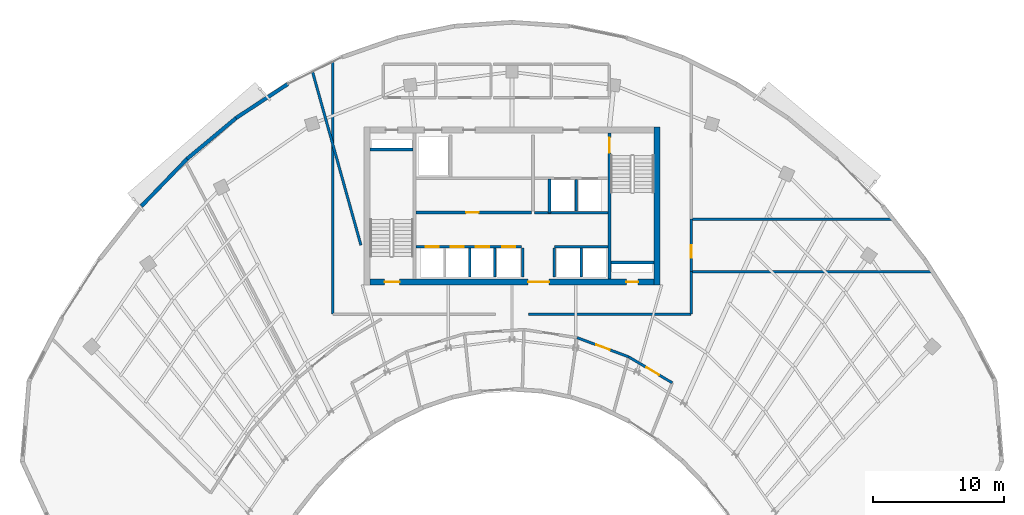
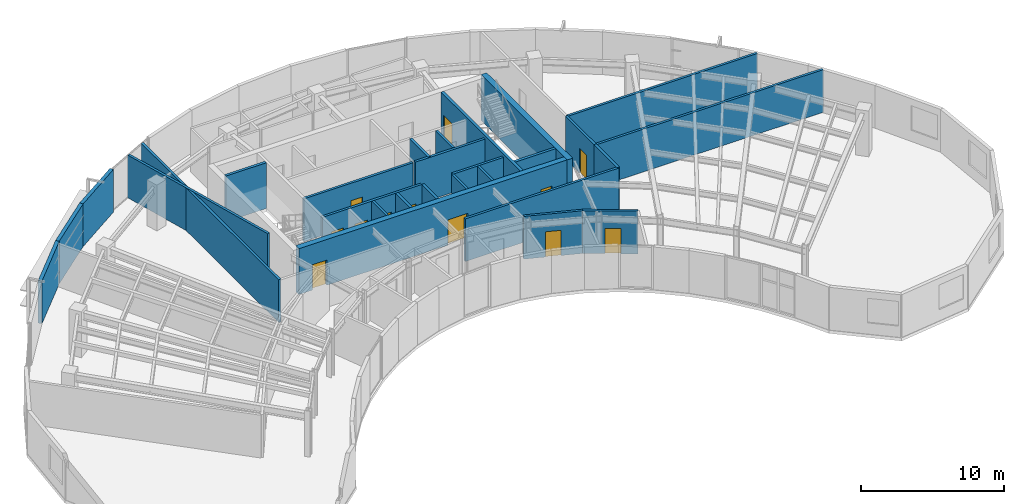
# One storey, part 9 of 13: 28 walls, 12 doors, 12 openings.
"""IFC4 building model written with IfcOpenShell, lengths in metres."""

from ifc_helpers import new_model, si_unit, direction, frame, frame_2d, origin, place, context, subcontext, project, spatial, rectangle, extrude, source, transform, mapped, material, layer, layer_set, type_object, type_shapes, element, fill, save


model = new_model("IFC4")

# Units and contexts
model_context = context("Model", 3, precision=1e-05, world=origin(), true_north=direction((0.0, 1.0)))
body_context = subcontext(model_context, "Body", "Model", "MODEL_VIEW")
ifc_project = project(units=[si_unit("LENGTHUNIT", "METRE"), si_unit("AREAUNIT", "SQUARE_METRE"), si_unit("VOLUMEUNIT", "CUBIC_METRE"), si_unit("PLANEANGLEUNIT", "RADIAN"), si_unit("MASSUNIT", "GRAM", prefix="KILO")], contexts=[model_context])

# Site, building, storey
site_placement = place(None, origin())
site = spatial("IfcSite", under=ifc_project, at=site_placement, CompositionType="ELEMENT")
building_placement = place(site_placement, origin())
building = spatial("IfcBuilding", under=site, at=building_placement, Name="Breltana Convention Tower", CompositionType="ELEMENT")
storey_placement = place(building_placement, frame((0.0, 0.0, 223.5)))
storey = spatial("IfcBuildingStorey", under=building, at=storey_placement, Name="L54", CompositionType="ELEMENT", Elevation=223.5)

# Walls
ifc_material_1 = material(Name="Concrete C50/60", Category="concrete")
ifc_layer_1 = layer(ifc_material_1, 0.39990234375, Name="Concrete C50/60")
ifc_layer_set_1 = layer_set([ifc_layer_1], Name="Concrete C50/60")
wall_type_1 = type_object("IfcWallType", Name="SW-CORE-400", PredefinedType="SHEAR", material=ifc_layer_set_1)
shared_shape_1 = source(origin(), body_context, "Body", "SweptSolid", [
    extrude(rectangle(XDim=3.27001953125, YDim=0.219970703125, at=frame_2d((1.635009765625, 0.0))), origin(), (0.0, 0.0, 1.0), 3.89990234375),
])
for number, where, z_axis, x_axis, name in (
    (1, (37.199951171875, 70.510009765625, 0.0), (0.0, 0.0, 1.0), (1.0, 0.0, 0.0), "L54 ST-1 Stairwell North Bearing Wall"),
    (2, (55.530029296875, 61.889892578125, 0.0), (0.0, 0.0, 1.0), (1.0, 0.0, 0.0), "L54 ST-2 Stairwell South Bearing Wall"),
):
    element("IfcWall", number, at=place(storey_placement, frame(where, z_axis=z_axis, x_axis=x_axis)), inside=storey, type_object=wall_type_1, Name=name, PredefinedType="SHEAR", context=body_context, shape_type="MappedRepresentation", body=[
        mapped(shared_shape_1, transform((0.0, 0.0, 0.0), scale=1.0)),
    ])
ifc_material_2 = material(Name="Concrete C60/75", Category="concrete")
ifc_layer_2 = layer(ifc_material_2, 0.449951171875, Name="Concrete C60/75")
ifc_layer_set_2 = layer_set([ifc_layer_2], Name="Concrete C60/75")
wall_type_2 = type_object("IfcWallType", Name="SW-CORE-450", PredefinedType="SHEAR", material=ifc_layer_set_2)
shared_shape_2 = source(origin(), body_context, "Body", "SweptSolid", [
    extrude(rectangle(XDim=12.0, YDim=0.449951171875, at=frame_2d((6.0, 0.0))), origin(), (0.0, 0.0, 1.0), 3.89990234375),
])
wall_1_placement = place(storey_placement, frame((59.02490234375, 60.199951171875, 0.0), z_axis=(0.0, 0.0, 1.0), x_axis=(0.0, 1.0, 0.0)))
element("IfcWall", 3, at=wall_1_placement, inside=storey, type_object=wall_type_2, Name="L54 East Core Shear Wall", PredefinedType="SHEAR", context=body_context, shape_type="MappedRepresentation", body=[
    mapped(shared_shape_2, transform((0.0, 0.0, 0.0), scale=1.0)),
])

# Wall, openings, doors
shared_shape_3 = source(origin(), body_context, "Body", "SweptSolid", [
    extrude(rectangle(XDim=21.60009765625, YDim=0.449951171875, at=frame_2d((10.800048828125, 0.0))), origin(), (0.0, 0.0, 1.0), 3.89990234375),
])
wall_2_placement = place(storey_placement, frame((37.199951171875, 60.425048828125, 0.0), z_axis=(0.0, 0.0, 1.0), x_axis=(1.0, 0.0, 0.0)))
wall_2 = element("IfcWall", 4, at=wall_2_placement, inside=storey, type_object=wall_type_2, Name="L54 South Core Shear Wall", PredefinedType="SHEAR", context=body_context, shape_type="MappedRepresentation", body=[
    mapped(shared_shape_3, transform((0.0, 0.0, 0.0), scale=1.0)),
])
opening_1_placement = place(wall_2_placement, frame((1.10009765625, 0.0, 0.0)))
opening_1 = element("IfcOpeningElement", 5, at=opening_1_placement, cuts=wall_2, Name="Opening D-11", PredefinedType="OPENING", context=body_context, shape_type="SweptSolid", body=[
    extrude(rectangle(XDim=1.14990234375, YDim=2.14990234375, at=frame_2d((0.574951171875, 1.074951171875))), frame((0.0, 0.23486328125, 0.0), z_axis=(0.0, -1.0, 0.0), x_axis=(1.0, 0.0, 0.0)), (0.0, 0.0, 1.0), 0.469970703125),
])
opening_2_placement = place(wall_2_placement, frame((19.5, 0.0, 0.0)))
opening_2 = element("IfcOpeningElement", 6, at=opening_2_placement, cuts=wall_2, Name="Opening D-18", PredefinedType="OPENING", context=body_context, shape_type="SweptSolid", body=[
    extrude(rectangle(XDim=0.89990234375, YDim=2.10009765625, at=frame_2d((0.449951171875, 1.050048828125))), frame((0.0, 0.23486328125, 0.0), z_axis=(0.0, -1.0, 0.0), x_axis=(1.0, 0.0, 0.0)), (0.0, 0.0, 1.0), 0.469970703125),
])
opening_3_placement = place(wall_2_placement, frame((12.02001953125, 0.0, 0.0)))
opening_3 = element("IfcOpeningElement", 7, at=opening_3_placement, cuts=wall_2, Name="Opening D-02", PredefinedType="OPENING", context=body_context, shape_type="SweptSolid", body=[
    extrude(rectangle(XDim=1.60009765625, YDim=2.14990234375, at=frame_2d((0.800048828125, 1.074951171875))), frame((0.0, 0.23486328125, 0.0), z_axis=(0.0, -1.0, 0.0), x_axis=(1.0, 0.0, 0.0)), (0.0, 0.0, 1.0), 0.469970703125),
])
ifc_material_3 = material(Name="Steel Stair Exit Door", Category="steel")
door_type_1 = type_object("IfcDoorType", Name="DR-FD120-1150", OperationType="NOTDEFINED", PredefinedType="DOOR", material=ifc_material_3)
shared_shape_4 = source(origin(), body_context, "Body", "SweptSolid", [
    extrude(rectangle(XDim=1.14990234375, YDim=2.14990234375, at=frame_2d((0.574951171875, 1.074951171875))), frame((0.0, 0.02490234375, 0.0), z_axis=(0.0, -1.0, 0.0), x_axis=(1.0, 0.0, 0.0)), (0.0, 0.0, 1.0), 0.050048828125),
])
type_shapes(door_type_1, [shared_shape_4])
door_1_placement = place(opening_1_placement, origin())
door_1 = element("IfcDoor", 8, at=door_1_placement, inside=storey, type_object=door_type_1, Name="L54 interior door D-L54-ST1", OperationType="SINGLE_SWING_LEFT", OverallHeight=2.14990234375, OverallWidth=1.14990234375, PredefinedType="DOOR", context=body_context, shape_type="MappedRepresentation", body=[
    mapped(shared_shape_4, transform((0.0, 0.0, 0.0), scale=1.0)),
])
fill(opening_1, door_1)
ifc_material_4 = material(Name="Steel Riser Fire Door", Category="steel")
door_type_2 = type_object("IfcDoorType", Name="DR-FD60-900", OperationType="NOTDEFINED", PredefinedType="DOOR", material=ifc_material_4)
shared_shape_5 = source(origin(), body_context, "Body", "SweptSolid", [
    extrude(rectangle(XDim=0.89990234375, YDim=2.10009765625, at=frame_2d((0.449951171875, 1.050048828125))), frame((0.0, 0.02490234375, 0.0), z_axis=(0.0, -1.0, 0.0), x_axis=(1.0, 0.0, 0.0)), (0.0, 0.0, 1.0), 0.050048828125),
])
type_shapes(door_type_2, [shared_shape_5])
door_2_placement = place(opening_2_placement, origin())
door_2 = element("IfcDoor", 9, at=door_2_placement, inside=storey, type_object=door_type_2, Name="L54 Core Riser Access Door D-L54-RS2", OperationType="SINGLE_SWING_RIGHT", OverallHeight=2.10009765625, OverallWidth=0.89990234375, PredefinedType="DOOR", context=body_context, shape_type="MappedRepresentation", body=[
    mapped(shared_shape_5, transform((0.0, 0.0, 0.0), scale=1.0)),
])
fill(opening_2, door_2)
ifc_material_5 = material(Name="Steel Glazed Smoke-Control Door", Category="steel")
door_type_3 = type_object("IfcDoorType", Name="DR-DBL-FD90-1600", OperationType="DOUBLE_DOOR_SINGLE_SWING", PredefinedType="DOOR", material=ifc_material_5)
shared_shape_6 = source(origin(), body_context, "Body", "SweptSolid", [
    extrude(rectangle(XDim=1.60009765625, YDim=2.14990234375, at=frame_2d((0.800048828125, 1.074951171875))), frame((0.0, 0.02490234375, 0.0), z_axis=(0.0, -1.0, 0.0), x_axis=(1.0, 0.0, 0.0)), (0.0, 0.0, 1.0), 0.050048828125),
])
type_shapes(door_type_3, [shared_shape_6])
door_3_placement = place(opening_3_placement, origin())
door_3 = element("IfcDoor", 10, at=door_3_placement, inside=storey, type_object=door_type_3, Name="L54 interior door D-L54-LLB-S", OperationType="DOUBLE_DOOR_SINGLE_SWING", OverallHeight=2.14990234375, OverallWidth=1.60009765625, PredefinedType="DOOR", context=body_context, shape_type="MappedRepresentation", body=[
    mapped(shared_shape_6, transform((0.0, 0.0, 0.0), scale=1.0)),
])
fill(opening_3, door_3)

# Wall, opening, door
shared_shape_7 = source(origin(), body_context, "Body", "SweptSolid", [
    extrude(rectangle(XDim=11.10009765625, YDim=0.219970703125, at=frame_2d((5.550048828125, 0.0))), origin(), (0.0, 0.0, 1.0), 3.89990234375),
])
wall_3_placement = place(storey_placement, frame((55.419921875, 60.64990234375, 0.0), z_axis=(0.0, 0.0, 1.0), x_axis=(0.0, 1.0, 0.0)))
wall_3 = element("IfcWall", 11, at=wall_3_placement, inside=storey, type_object=wall_type_1, Name="L54 Core East Stair Spine Wall", PredefinedType="SHEAR", context=body_context, shape_type="MappedRepresentation", body=[
    mapped(shared_shape_7, transform((0.0, 0.0, 0.0), scale=1.0)),
])
opening_4_placement = place(wall_3_placement, frame((9.594970703125, 0.0, 0.0)))
opening_4 = element("IfcOpeningElement", 12, at=opening_4_placement, cuts=wall_3, Name="Opening D-11", PredefinedType="OPENING", context=body_context, shape_type="SweptSolid", body=[
    extrude(rectangle(XDim=1.14990234375, YDim=2.14990234375, at=frame_2d((0.574951171875, 1.074951171875))), frame((0.0, 0.1201171875, 0.0), z_axis=(0.0, -1.0, 0.0), x_axis=(1.0, 0.0, 0.0)), (0.0, 0.0, 1.0), 0.239990234375),
])
door_4_placement = place(opening_4_placement, origin())
door_4 = element("IfcDoor", 13, at=door_4_placement, inside=storey, type_object=door_type_1, Name="L54 interior door D-L54-ST2", OperationType="SINGLE_SWING_LEFT", OverallHeight=2.14990234375, OverallWidth=1.14990234375, PredefinedType="DOOR", context=body_context, shape_type="MappedRepresentation", body=[
    mapped(shared_shape_4, transform((0.0, 0.0, 0.0), scale=1.0)),
])
fill(opening_4, door_4)

# Walls
ifc_material_6 = material(Name="Limestone Buff Insulated Wall", Category="masonry")
ifc_layer_3 = layer(ifc_material_6, 0.280029296875, Name="Limestone Buff Insulated Wall")
ifc_layer_set_3 = layer_set([ifc_layer_3], Name="Limestone Buff Insulated Wall")
wall_type_3 = type_object("IfcWallType", Name="WL-EXT-NOSE-280", PredefinedType="SOLIDWALL", material=ifc_layer_set_3)
shared_shape_8 = source(origin(), body_context, "Body", "SweptSolid", [
    extrude(rectangle(XDim=4.851806640625, YDim=0.280029296875, at=frame_2d((2.42578125, 0.0))), origin(), (0.0, 0.0, 1.0), 3.639892578125),
])
wall_4_placement = place(storey_placement, frame((23.26806640625, 69.787841796875, 0.0), z_axis=(0.0, 0.0, 1.0), x_axis=(0.767936605821, 0.640525853843, 0.0)))
element("IfcWall", 14, at=wall_4_placement, inside=storey, type_object=wall_type_3, Name="L54 curved limestone nose wall E22", PredefinedType="SOLIDWALL", context=body_context, shape_type="MappedRepresentation", body=[
    mapped(shared_shape_8, transform((0.0, 0.0, 0.0), scale=1.0)),
])
shared_shape_9 = source(origin(), body_context, "Body", "SweptSolid", [
    extrude(rectangle(XDim=4.712646484375, YDim=0.280029296875, at=frame_2d((2.3564453125, 0.0))), origin(), (0.0, 0.0, 1.0), 3.639892578125),
])
wall_5_placement = place(storey_placement, frame((26.993896484375, 72.8955078125, 0.0), z_axis=(0.0, 0.0, 1.0), x_axis=(0.835974386457, 0.548768462275, 0.0)))
element("IfcWall", 15, at=wall_5_placement, inside=storey, type_object=wall_type_3, Name="L54 curved limestone nose wall E23", PredefinedType="SOLIDWALL", context=body_context, shape_type="MappedRepresentation", body=[
    mapped(shared_shape_9, transform((0.0, 0.0, 0.0), scale=1.0)),
])
shared_shape_10 = source(origin(), body_context, "Body", "SweptSolid", [
    extrude(rectangle(XDim=5.000732421875, YDim=0.280029296875, at=frame_2d((2.50048828125, 0.0))), origin(), (0.0, 0.0, 1.0), 3.639892578125),
])
wall_6_placement = place(storey_placement, frame((19.794677734375, 66.190185546875, 0.0), z_axis=(0.0, 0.0, 1.0), x_axis=(0.694572731818, 0.719422490762, 0.0)))
element("IfcWall", 16, at=wall_6_placement, inside=storey, type_object=wall_type_3, Name="L54 curved limestone nose wall E21", PredefinedType="SOLIDWALL", context=body_context, shape_type="MappedRepresentation", body=[
    mapped(shared_shape_10, transform((0.0, 0.0, 0.0), scale=1.0)),
])
ifc_material_7 = material(Name="Autoclaved Aerated Concrete Block", Category="concrete")
ifc_layer_4 = layer(ifc_material_7, 0.199951171875, Name="Autoclaved Aerated Concrete Block")
ifc_layer_set_4 = layer_set([ifc_layer_4], Name="Autoclaved Aerated Concrete Block")
wall_type_4 = type_object("IfcWallType", Name="WL-SHAFT-200", PredefinedType="SOLIDWALL", material=ifc_layer_set_4)
shared_shape_11 = source(origin(), body_context, "Body", "SweptSolid", [
    extrude(rectangle(XDim=2.239990234375, YDim=0.199951171875, at=frame_2d((1.1201171875, 0.0))), origin(), (0.0, 0.0, 1.0), 3.639892578125),
])
for number, where, z_axis, x_axis, name in (
    (17, (48.820068359375, 60.780029296875, 0.0), (0.0, 0.0, 1.0), (0.0, 1.0, 0.0), "L54 interior partition W-L54-PORT-W"),
    (18, (51.219970703125, 60.780029296875, 0.0), (0.0, 0.0, 1.0), (0.0, 1.0, 0.0), "L54 interior partition W-L54-PORT-E"),
):
    element("IfcWall", number, at=place(storey_placement, frame(where, z_axis=z_axis, x_axis=x_axis)), inside=storey, type_object=wall_type_4, Name=name, PredefinedType="SOLIDWALL", context=body_context, shape_type="MappedRepresentation", body=[
        mapped(shared_shape_11, transform((0.0, 0.0, 0.0), scale=1.0)),
    ])
shared_shape_12 = source(origin(), body_context, "Body", "SweptSolid", [
    extrude(rectangle(XDim=5.6201171875, YDim=0.199951171875, at=frame_2d((2.81005859375, 0.0))), origin(), (0.0, 0.0, 1.0), 3.639892578125),
])
wall_7_placement = place(storey_placement, frame((49.699951171875, 65.679931640625, 0.0), z_axis=(0.0, 0.0, 1.0), x_axis=(1.0, 0.0, 0.0)))
element("IfcWall", 19, at=wall_7_placement, inside=storey, type_object=wall_type_4, Name="L54 interior partition W-L54-FL-S", PredefinedType="SOLIDWALL", context=body_context, shape_type="MappedRepresentation", body=[
    mapped(shared_shape_12, transform((0.0, 0.0, 0.0), scale=1.0)),
])
shared_shape_13 = source(origin(), body_context, "Body", "SweptSolid", [
    extrude(rectangle(XDim=2.580078125, YDim=0.199951171875, at=frame_2d((1.2900390625, 0.0))), origin(), (0.0, 0.0, 1.0), 3.639892578125),
])
wall_8_placement = place(storey_placement, frame((50.85009765625, 65.679931640625, 0.0), z_axis=(0.0, 0.0, 1.0), x_axis=(0.0, 1.0, 0.0)))
element("IfcWall", 20, at=wall_8_placement, inside=storey, type_object=wall_type_4, Name="L54 interior partition W-L54-FL-W", PredefinedType="SOLIDWALL", context=body_context, shape_type="MappedRepresentation", body=[
    mapped(shared_shape_13, transform((0.0, 0.0, 0.0), scale=1.0)),
])
shared_shape_14 = source(origin(), body_context, "Body", "SweptSolid", [
    extrude(rectangle(XDim=2.39990234375, YDim=0.199951171875, at=frame_2d((1.199951171875, 0.0))), origin(), (0.0, 0.0, 1.0), 3.639892578125),
])
wall_9_placement = place(storey_placement, frame((52.89990234375, 65.800048828125, 0.0), z_axis=(0.0, 0.0, 1.0), x_axis=(0.0, 1.0, 0.0)))
element("IfcWall", 21, at=wall_9_placement, inside=storey, type_object=wall_type_4, Name="L54 interior partition W-L54-FL-DIV", PredefinedType="SOLIDWALL", context=body_context, shape_type="MappedRepresentation", body=[
    mapped(shared_shape_14, transform((0.0, 0.0, 0.0), scale=1.0)),
])

# Wall, opening, door
shared_shape_15 = source(origin(), body_context, "Body", "SweptSolid", [
    extrude(rectangle(XDim=8.800048828125, YDim=0.199951171875, at=frame_2d((4.39990234375, 0.0))), origin(), (0.0, 0.0, 1.0), 3.639892578125),
])
wall_10_placement = place(storey_placement, frame((40.699951171875, 65.699951171875, 0.0), z_axis=(0.0, 0.0, 1.0), x_axis=(1.0, 0.0, 0.0)))
wall_10 = element("IfcWall", 22, at=wall_10_placement, inside=storey, type_object=wall_type_4, Name="L54 interior partition W-L54-SH-M-FRONT", PredefinedType="SOLIDWALL", context=body_context, shape_type="MappedRepresentation", body=[
    mapped(shared_shape_15, transform((0.0, 0.0, 0.0), scale=1.0)),
])
opening_5_placement = place(wall_10_placement, frame((3.800048828125, 0.0, 0.0)))
opening_5 = element("IfcOpeningElement", 23, at=opening_5_placement, cuts=wall_10, Name="Opening D-14", PredefinedType="OPENING", context=body_context, shape_type="SweptSolid", body=[
    extrude(rectangle(XDim=0.949951171875, YDim=2.14990234375, at=frame_2d((0.47509765625, 1.074951171875))), frame((0.0, 0.10986328125, 0.0), z_axis=(0.0, -1.0, 0.0), x_axis=(1.0, 0.0, 0.0)), (0.0, 0.0, 1.0), 0.219970703125),
])
ifc_material_8 = material(Name="Timber Solid-Core Fire Door", Category="wood")
door_type_4 = type_object("IfcDoorType", Name="DR-FD60-950", OperationType="NOTDEFINED", PredefinedType="DOOR", material=ifc_material_8)
shared_shape_16 = source(origin(), body_context, "Body", "SweptSolid", [
    extrude(rectangle(XDim=0.949951171875, YDim=2.14990234375, at=frame_2d((0.47509765625, 1.074951171875))), frame((0.0, 0.02490234375, 0.0), z_axis=(0.0, -1.0, 0.0), x_axis=(1.0, 0.0, 0.0)), (0.0, 0.0, 1.0), 0.050048828125),
])
type_shapes(door_type_4, [shared_shape_16])
door_5_placement = place(opening_5_placement, origin())
door_5 = element("IfcDoor", 24, at=door_5_placement, inside=storey, type_object=door_type_4, Name="L54 interior door D-L54-LV7-B2A", OperationType="SINGLE_SWING_LEFT", OverallHeight=2.14990234375, OverallWidth=0.949951171875, PredefinedType="DOOR", context=body_context, shape_type="MappedRepresentation", body=[
    mapped(shared_shape_16, transform((0.0, 0.0, 0.0), scale=1.0)),
])
fill(opening_5, door_5)

# Wall, openings, doors
shared_shape_17 = source(origin(), body_context, "Body", "SweptSolid", [
    extrude(rectangle(XDim=8.02001953125, YDim=0.199951171875, at=frame_2d((4.010009765625, 0.0))), origin(), (0.0, 0.0, 1.0), 3.639892578125),
])
wall_11_placement = place(storey_placement, frame((40.699951171875, 63.10009765625, 0.0), z_axis=(0.0, 0.0, 1.0), x_axis=(1.0, 0.0, 0.0)))
wall_11 = element("IfcWall", 25, at=wall_11_placement, inside=storey, type_object=wall_type_4, Name="L54 interior partition W-L54-SH-S-FRONT", PredefinedType="SOLIDWALL", context=body_context, shape_type="MappedRepresentation", body=[
    mapped(shared_shape_17, transform((0.0, 0.0, 0.0), scale=1.0)),
])
opening_6_placement = place(wall_11_placement, frame((0.719970703125, 0.0, 0.0)))
opening_6 = element("IfcOpeningElement", 26, at=opening_6_placement, cuts=wall_11, Name="Opening LD-04", PredefinedType="OPENING", context=body_context, shape_type="SweptSolid", body=[
    extrude(rectangle(XDim=1.0, YDim=2.14990234375, at=frame_2d((0.5, 1.074951171875))), frame((0.0, 0.10986328125, 0.0), z_axis=(0.0, -1.0, 0.0), x_axis=(1.0, 0.0, 0.0)), (0.0, 0.0, 1.0), 0.219970703125),
])
opening_7_placement = place(wall_11_placement, frame((2.6201171875, 0.0, 0.0)))
opening_7 = element("IfcOpeningElement", 27, at=opening_7_placement, cuts=wall_11, Name="Opening LD-04", PredefinedType="OPENING", context=body_context, shape_type="SweptSolid", body=[
    extrude(rectangle(XDim=1.0, YDim=2.14990234375, at=frame_2d((0.5, 1.074951171875))), frame((0.0, 0.10986328125, 0.0), z_axis=(0.0, -1.0, 0.0), x_axis=(1.0, 0.0, 0.0)), (0.0, 0.0, 1.0), 0.219970703125),
])
opening_8_placement = place(wall_11_placement, frame((4.550048828125, 0.0, 0.0)))
opening_8 = element("IfcOpeningElement", 28, at=opening_8_placement, cuts=wall_11, Name="Opening LD-04", PredefinedType="OPENING", context=body_context, shape_type="SweptSolid", body=[
    extrude(rectangle(XDim=1.0, YDim=2.14990234375, at=frame_2d((0.5, 1.074951171875))), frame((0.0, 0.10986328125, 0.0), z_axis=(0.0, -1.0, 0.0), x_axis=(1.0, 0.0, 0.0)), (0.0, 0.0, 1.0), 0.219970703125),
])
opening_9_placement = place(wall_11_placement, frame((6.550048828125, 0.0, 0.0)))
opening_9 = element("IfcOpeningElement", 29, at=opening_9_placement, cuts=wall_11, Name="Opening LD-04", PredefinedType="OPENING", context=body_context, shape_type="SweptSolid", body=[
    extrude(rectangle(XDim=1.0, YDim=2.14990234375, at=frame_2d((0.5, 1.074951171875))), frame((0.0, 0.10986328125, 0.0), z_axis=(0.0, -1.0, 0.0), x_axis=(1.0, 0.0, 0.0)), (0.0, 0.0, 1.0), 0.219970703125),
])
ifc_material_9 = material(Name="Stainless Steel Brushed", Category="steel")
door_type_5 = type_object("IfcDoorType", Name="DR-LD-PAX-1000", OperationType="DOUBLE_DOOR_SLIDING", PredefinedType="DOOR", material=ifc_material_9)
shared_shape_18 = source(origin(), body_context, "Body", "SweptSolid", [
    extrude(rectangle(XDim=1.0, YDim=2.14990234375, at=frame_2d((0.5, 1.074951171875))), frame((0.0, 0.02490234375, 0.0), z_axis=(0.0, -1.0, 0.0), x_axis=(1.0, 0.0, 0.0)), (0.0, 0.0, 1.0), 0.050048828125),
])
type_shapes(door_type_5, [shared_shape_18])
door_6_placement = place(opening_6_placement, origin())
door_6 = element("IfcDoor", 30, at=door_6_placement, inside=storey, type_object=door_type_5, Name="L54 Lift Landing Door D-L54-LD-S1", OperationType="DOUBLE_DOOR_SLIDING", OverallHeight=2.14990234375, OverallWidth=1.0, PredefinedType="DOOR", context=body_context, shape_type="MappedRepresentation", body=[
    mapped(shared_shape_18, transform((0.0, 0.0, 0.0), scale=1.0)),
])
fill(opening_6, door_6)
door_7_placement = place(opening_7_placement, origin())
door_7 = element("IfcDoor", 31, at=door_7_placement, inside=storey, type_object=door_type_5, Name="L54 Lift Landing Door D-L54-LD-S2", OperationType="DOUBLE_DOOR_SLIDING", OverallHeight=2.14990234375, OverallWidth=1.0, PredefinedType="DOOR", context=body_context, shape_type="MappedRepresentation", body=[
    mapped(shared_shape_18, transform((0.0, 0.0, 0.0), scale=1.0)),
])
fill(opening_7, door_7)
door_8_placement = place(opening_8_placement, origin())
door_8 = element("IfcDoor", 32, at=door_8_placement, inside=storey, type_object=door_type_5, Name="L54 Lift Landing Door D-L54-LD-S3", OperationType="DOUBLE_DOOR_SLIDING", OverallHeight=2.14990234375, OverallWidth=1.0, PredefinedType="DOOR", context=body_context, shape_type="MappedRepresentation", body=[
    mapped(shared_shape_18, transform((0.0, 0.0, 0.0), scale=1.0)),
])
fill(opening_8, door_8)
door_9_placement = place(opening_9_placement, origin())
door_9 = element("IfcDoor", 33, at=door_9_placement, inside=storey, type_object=door_type_5, Name="L54 Lift Landing Door D-L54-LD-S4", OperationType="DOUBLE_DOOR_SLIDING", OverallHeight=2.14990234375, OverallWidth=1.0, PredefinedType="DOOR", context=body_context, shape_type="MappedRepresentation", body=[
    mapped(shared_shape_18, transform((0.0, 0.0, 0.0), scale=1.0)),
])
fill(opening_9, door_9)

# Walls
shared_shape_19 = source(origin(), body_context, "Body", "SweptSolid", [
    extrude(rectangle(XDim=4.10009765625, YDim=0.199951171875, at=frame_2d((2.050048828125, 0.0))), origin(), (0.0, 0.0, 1.0), 3.639892578125),
])
wall_12_placement = place(storey_placement, frame((51.219970703125, 63.10009765625, 0.0), z_axis=(0.0, 0.0, 1.0), x_axis=(1.0, 0.0, 0.0)))
element("IfcWall", 34, at=wall_12_placement, inside=storey, type_object=wall_type_4, Name="L54 interior partition W-L54-SH-X-FRONT", PredefinedType="SOLIDWALL", context=body_context, shape_type="MappedRepresentation", body=[
    mapped(shared_shape_19, transform((0.0, 0.0, 0.0), scale=1.0)),
])
shared_shape_20 = source(origin(), body_context, "Body", "SweptSolid", [
    extrude(rectangle(XDim=2.199951171875, YDim=0.199951171875, at=frame_2d((1.10009765625, 0.0))), origin(), (0.0, 0.0, 1.0), 3.639892578125),
])
for number, where, z_axis, x_axis, name in (
    (35, (44.77001953125, 60.800048828125, 0.0), (0.0, 0.0, 1.0), (0.0, 1.0, 0.0), "L54 interior partition W-L54-SH-S-DIV2"),
    (36, (46.699951171875, 60.800048828125, 0.0), (0.0, 0.0, 1.0), (0.0, 1.0, 0.0), "L54 interior partition W-L54-SH-S-DIV3"),
    (37, (53.280029296875, 60.800048828125, 0.0), (0.0, 0.0, 1.0), (0.0, 1.0, 0.0), "L54 interior partition W-L54-SH-X-DIV"),
):
    element("IfcWall", number, at=place(storey_placement, frame(where, z_axis=z_axis, x_axis=x_axis)), inside=storey, type_object=wall_type_4, Name=name, PredefinedType="SOLIDWALL", context=body_context, shape_type="MappedRepresentation", body=[
        mapped(shared_shape_20, transform((0.0, 0.0, 0.0), scale=1.0)),
    ])

# Wall, opening, door
ifc_material_10 = material(Name="Gypsum Acoustic Hotel Wall")
ifc_layer_5 = layer(ifc_material_10, 0.195068359375, Name="Gypsum Acoustic Hotel Wall")
ifc_layer_set_5 = layer_set([ifc_layer_5], Name="Gypsum Acoustic Hotel Wall")
wall_type_5 = type_object("IfcWallType", Name="WL-HOTEL-200", PredefinedType="PARTITIONING", material=ifc_layer_set_5)
shared_shape_21 = source(origin(), body_context, "Body", "SweptSolid", [
    extrude(rectangle(XDim=4.19091796875, YDim=0.195068359375, at=frame_2d((2.095458984375, 0.0))), origin(), (0.0, 0.0, 1.0), 3.639892578125),
])
wall_13_placement = place(storey_placement, frame((52.957275390625, 56.173583984375, 0.0), z_axis=(0.0, 0.0, 1.0), x_axis=(0.937361695407, -0.348357649527, 0.0)))
wall_13 = element("IfcWall", 38, at=wall_13_placement, inside=storey, type_object=wall_type_5, Name="L54 interior partition W-L54-ES5-COR", PredefinedType="PARTITIONING", context=body_context, shape_type="MappedRepresentation", body=[
    mapped(shared_shape_21, transform((0.0, 0.0, 0.0), scale=1.0)),
])
opening_10_placement = place(wall_13_placement, frame((1.54541015625, 0.0, 0.0)))
opening_10 = element("IfcOpeningElement", 39, at=opening_10_placement, cuts=wall_13, Name="Opening D-12", PredefinedType="OPENING", context=body_context, shape_type="SweptSolid", body=[
    extrude(rectangle(XDim=1.10009765625, YDim=2.14990234375, at=frame_2d((0.550048828125, 1.074951171875))), frame((0.0, 0.107421875, 0.0), z_axis=(0.0, -1.0, 0.0), x_axis=(1.0, 0.0, 0.0)), (0.0, 0.0, 1.0), 0.215087890625),
])
ifc_material_11 = material(Name="Timber Oak Acoustic Door", Category="wood")
door_type_6 = type_object("IfcDoorType", Name="DR-INT-1100", OperationType="NOTDEFINED", PredefinedType="DOOR", material=ifc_material_11)
shared_shape_22 = source(origin(), body_context, "Body", "SweptSolid", [
    extrude(rectangle(XDim=1.10009765625, YDim=2.14990234375, at=frame_2d((0.550048828125, 1.074951171875))), frame((0.0, 0.02490234375, 0.0), z_axis=(0.0, -1.0, 0.0), x_axis=(1.0, 0.0, 0.0)), (0.0, 0.0, 1.0), 0.050048828125),
])
type_shapes(door_type_6, [shared_shape_22])
door_10_placement = place(opening_10_placement, origin())
door_10 = element("IfcDoor", 40, at=door_10_placement, inside=storey, type_object=door_type_6, Name="L54 interior door D-L54-ES5", OperationType="SINGLE_SWING_RIGHT", OverallHeight=2.14990234375, OverallWidth=1.10009765625, PredefinedType="DOOR", context=body_context, shape_type="MappedRepresentation", body=[
    mapped(shared_shape_22, transform((0.0, 0.0, 0.0), scale=1.0)),
])
fill(opening_10, door_10)

shared_shape_23 = source(origin(), body_context, "Body", "SweptSolid", [
    extrude(rectangle(XDim=3.855712890625, YDim=0.195068359375, at=frame_2d((1.927734375, 0.0))), origin(), (0.0, 0.0, 1.0), 3.639892578125),
])
wall_14_placement = place(storey_placement, frame((56.8857421875, 54.713623046875, 0.0), z_axis=(0.0, 0.0, 1.0), x_axis=(0.858797511375, -0.512315171019, 0.0)))
wall_14 = element("IfcWall", 41, at=wall_14_placement, inside=storey, type_object=wall_type_5, Name="L54 interior partition W-L54-ES6-COR", PredefinedType="PARTITIONING", context=body_context, shape_type="MappedRepresentation", body=[
    mapped(shared_shape_23, transform((0.0, 0.0, 0.0), scale=1.0)),
])
opening_11_placement = place(wall_14_placement, frame((1.577880859375, 0.0, 0.0)))
opening_11 = element("IfcOpeningElement", 42, at=opening_11_placement, cuts=wall_14, Name="Opening D-12", PredefinedType="OPENING", context=body_context, shape_type="SweptSolid", body=[
    extrude(rectangle(XDim=1.10009765625, YDim=2.14990234375, at=frame_2d((0.550048828125, 1.074951171875))), frame((0.0, 0.107421875, 0.0), z_axis=(0.0, -1.0, 0.0), x_axis=(1.0, 0.0, 0.0)), (0.0, 0.0, 1.0), 0.215087890625),
])
door_11_placement = place(opening_11_placement, origin())
door_11 = element("IfcDoor", 43, at=door_11_placement, inside=storey, type_object=door_type_6, Name="L54 interior door D-L54-ES6", OperationType="SINGLE_SWING_LEFT", OverallHeight=2.14990234375, OverallWidth=1.10009765625, PredefinedType="DOOR", context=body_context, shape_type="MappedRepresentation", body=[
    mapped(shared_shape_22, transform((0.0, 0.0, 0.0), scale=1.0)),
])
fill(opening_11, door_11)

# Walls
shared_shape_24 = source(origin(), body_context, "Body", "SweptSolid", [
    extrude(rectangle(XDim=13.693603515625, YDim=0.195068359375, at=frame_2d((6.8466796875, 0.0))), origin(), (0.0, 0.0, 1.0), 3.639892578125),
])
wall_15_placement = place(storey_placement, frame((36.5, 63.2158203125, 0.0), z_axis=(0.0, 0.0, 1.0), x_axis=(-0.268753576604, 0.963208967495, 0.0)))
element("IfcWall", 44, at=wall_15_placement, inside=storey, type_object=wall_type_5, Name="L54 interior partition W-L54-EXWR2-RB", PredefinedType="PARTITIONING", context=body_context, shape_type="MappedRepresentation", body=[
    mapped(shared_shape_24, transform((0.0, 0.0, 0.0), scale=1.0)),
])
shared_shape_25 = source(origin(), body_context, "Body", "SweptSolid", [
    extrude(rectangle(XDim=19.208740234375, YDim=0.195068359375, at=frame_2d((9.6044921875, 0.0))), origin(), (0.0, 0.0, 1.0), 3.639892578125),
])
wall_16_placement = place(storey_placement, frame((34.360107421875, 57.9599609375, 0.0), z_axis=(0.0, 0.0, 1.0), x_axis=(0.0, 1.0, 0.0)))
element("IfcWall", 45, at=wall_16_placement, inside=storey, type_object=wall_type_5, Name="L54 interior partition W-L54-EXWR-CL", PredefinedType="PARTITIONING", context=body_context, shape_type="MappedRepresentation", body=[
    mapped(shared_shape_25, transform((0.0, 0.0, 0.0), scale=1.0)),
])
shared_shape_26 = source(origin(), body_context, "Body", "SweptSolid", [
    extrude(rectangle(XDim=12.389892578125, YDim=0.195068359375, at=frame_2d((6.19482421875, 0.0))), origin(), (0.0, 0.0, 1.0), 3.639892578125),
])
wall_17_placement = place(storey_placement, frame((49.25, 57.9599609375, 0.0), z_axis=(0.0, 0.0, 1.0), x_axis=(1.0, 0.0, 0.0)))
element("IfcWall", 46, at=wall_17_placement, inside=storey, type_object=wall_type_5, Name="L54 interior partition W-L54-Z45-CSE", PredefinedType="PARTITIONING", context=body_context, shape_type="MappedRepresentation", body=[
    mapped(shared_shape_26, transform((0.0, 0.0, 0.0), scale=1.0)),
])
shared_shape_27 = source(origin(), body_context, "Body", "SweptSolid", [
    extrude(rectangle(XDim=18.34228515625, YDim=0.195068359375, at=frame_2d((9.171142578125, 0.0))), origin(), (0.0, 0.0, 1.0), 3.639892578125),
])
wall_18_placement = place(storey_placement, frame((61.639892578125, 61.199951171875, 0.0), z_axis=(0.0, 0.0, 1.0), x_axis=(1.0, 0.0, 0.0)))
element("IfcWall", 47, at=wall_18_placement, inside=storey, type_object=wall_type_5, Name="L54 interior partition W-L54-EXE1-N", PredefinedType="PARTITIONING", context=body_context, shape_type="MappedRepresentation", body=[
    mapped(shared_shape_27, transform((0.0, 0.0, 0.0), scale=1.0)),
])
shared_shape_28 = source(origin(), body_context, "Body", "SweptSolid", [
    extrude(rectangle(XDim=3.239990234375, YDim=0.195068359375, at=frame_2d((1.6201171875, 0.0))), origin(), (0.0, 0.0, 1.0), 3.639892578125),
])
wall_19_placement = place(storey_placement, frame((61.639892578125, 57.9599609375, 0.0), z_axis=(0.0, 0.0, 1.0), x_axis=(0.0, 1.0, 0.0)))
element("IfcWall", 48, at=wall_19_placement, inside=storey, type_object=wall_type_5, Name="L54 interior partition W-L54-EXE1-ENT", PredefinedType="PARTITIONING", context=body_context, shape_type="MappedRepresentation", body=[
    mapped(shared_shape_28, transform((0.0, 0.0, 0.0), scale=1.0)),
])
shared_shape_29 = source(origin(), body_context, "Body", "SweptSolid", [
    extrude(rectangle(XDim=15.33154296875, YDim=0.195068359375, at=frame_2d((7.665771484375, 0.0))), origin(), (0.0, 0.0, 1.0), 3.639892578125),
])
wall_20_placement = place(storey_placement, frame((61.639892578125, 65.199951171875, 0.0), z_axis=(0.0, 0.0, 1.0), x_axis=(1.0, 0.0, 0.0)))
element("IfcWall", 49, at=wall_20_placement, inside=storey, type_object=wall_type_5, Name="L54 interior partition W-L54-EXE2-N", PredefinedType="PARTITIONING", context=body_context, shape_type="MappedRepresentation", body=[
    mapped(shared_shape_29, transform((0.0, 0.0, 0.0), scale=1.0)),
])

# Wall, opening, door
shared_shape_30 = source(origin(), body_context, "Body", "SweptSolid", [
    extrude(rectangle(XDim=4.0, YDim=0.195068359375, at=frame_2d((2.0, 0.0))), origin(), (0.0, 0.0, 1.0), 3.639892578125),
])
wall_21_placement = place(storey_placement, frame((61.639892578125, 61.199951171875, 0.0), z_axis=(0.0, 0.0, 1.0), x_axis=(0.0, 1.0, 0.0)))
wall_21 = element("IfcWall", 50, at=wall_21_placement, inside=storey, type_object=wall_type_5, Name="L54 interior partition W-L54-EXE2-ENT", PredefinedType="PARTITIONING", context=body_context, shape_type="MappedRepresentation", body=[
    mapped(shared_shape_30, transform((0.0, 0.0, 0.0), scale=1.0)),
])
opening_12_placement = place(wall_21_placement, frame((1.044921875, 0.0, 0.0)))
opening_12 = element("IfcOpeningElement", 51, at=opening_12_placement, cuts=wall_21, Name="Opening D-17", PredefinedType="OPENING", context=body_context, shape_type="SweptSolid", body=[
    extrude(rectangle(XDim=0.949951171875, YDim=2.10009765625, at=frame_2d((0.47509765625, 1.050048828125))), frame((0.0, 0.107421875, 0.0), z_axis=(0.0, -1.0, 0.0), x_axis=(1.0, 0.0, 0.0)), (0.0, 0.0, 1.0), 0.215087890625),
])
ifc_material_12 = material(Name="Timber Oak Veneer Door", Category="wood")
door_type_7 = type_object("IfcDoorType", Name="DR-INT-950", OperationType="NOTDEFINED", PredefinedType="DOOR", material=ifc_material_12)
shared_shape_31 = source(origin(), body_context, "Body", "SweptSolid", [
    extrude(rectangle(XDim=0.949951171875, YDim=2.10009765625, at=frame_2d((0.47509765625, 1.050048828125))), frame((0.0, 0.02490234375, 0.0), z_axis=(0.0, -1.0, 0.0), x_axis=(1.0, 0.0, 0.0)), (0.0, 0.0, 1.0), 0.050048828125),
])
type_shapes(door_type_7, [shared_shape_31])
door_12_placement = place(opening_12_placement, origin())
door_12 = element("IfcDoor", 52, at=door_12_placement, inside=storey, type_object=door_type_7, Name="L54 interior door D-L54-EXE2", OperationType="SINGLE_SWING_RIGHT", OverallHeight=2.10009765625, OverallWidth=0.949951171875, PredefinedType="DOOR", context=body_context, shape_type="MappedRepresentation", body=[
    mapped(shared_shape_31, transform((0.0, 0.0, 0.0), scale=1.0)),
])
fill(opening_12, door_12)

save(model, "model.ifc")
